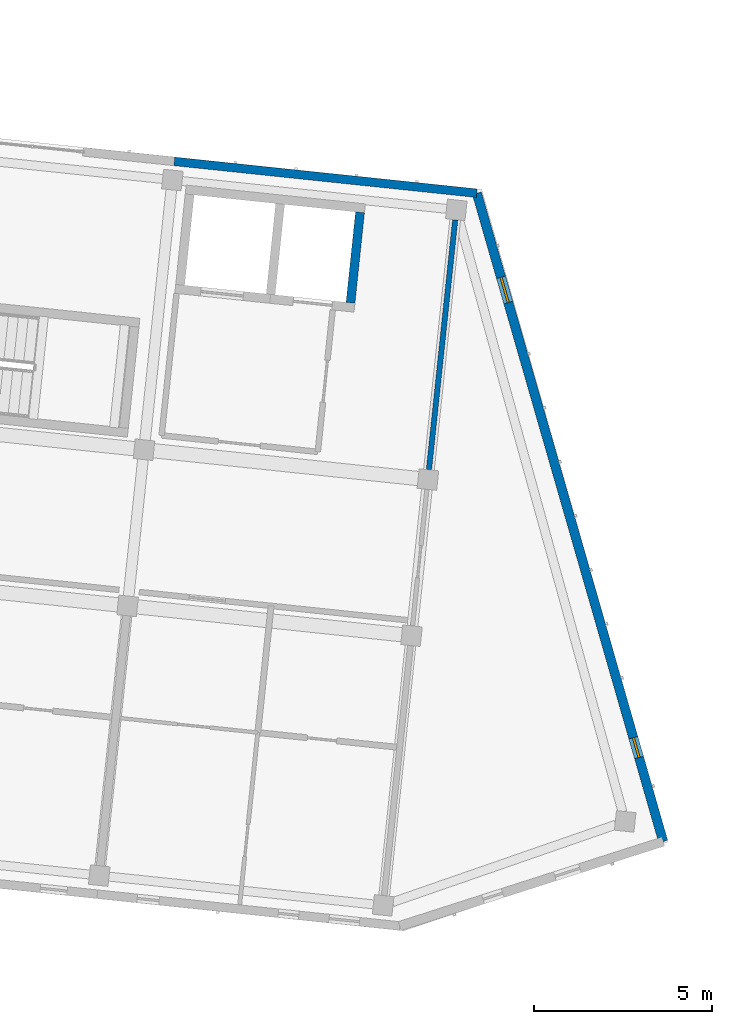
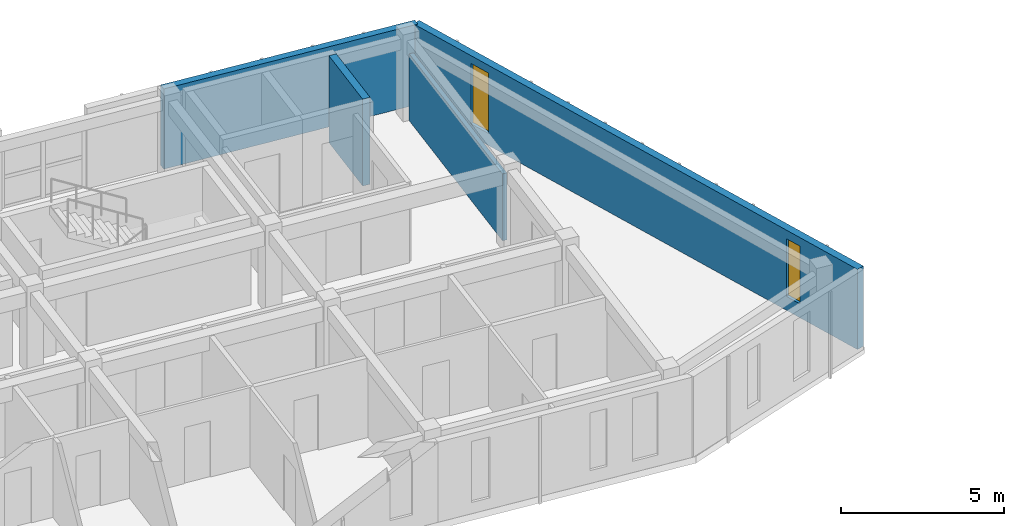
# One storey, part 39 of 66: 4 walls, 2 windows, 2 openings.
"""IFC4 building model written with IfcOpenShell, lengths in metres."""

from ifc_helpers import new_model, si_unit, direction, frame, frame_2d, origin, place, context, subcontext, project, spatial, rectangle, extrude, material, layer, layer_set, type_object, element, fill, save


model = new_model("IFC4")

# Units and contexts
model_context = context("Model", 3, precision=1e-05, world=origin(), true_north=direction((0.0, 1.0)))
body_context = subcontext(model_context, "Body", "Model", "MODEL_VIEW")
ifc_project = project(units=[si_unit("LENGTHUNIT", "METRE"), si_unit("AREAUNIT", "SQUARE_METRE"), si_unit("VOLUMEUNIT", "CUBIC_METRE"), si_unit("PLANEANGLEUNIT", "RADIAN"), si_unit("MASSUNIT", "GRAM", prefix="KILO")], contexts=[model_context])

# Site, building, storey
site_placement = place(None, origin())
site = spatial("IfcSite", under=ifc_project, at=site_placement, CompositionType="ELEMENT")
building_placement = place(site_placement, origin())
building = spatial("IfcBuilding", under=site, at=building_placement, Name="Kestramere Prow Commons", CompositionType="ELEMENT")
storey_placement = place(building_placement, frame((0.0, 0.0, 14.89990234375)))
storey = spatial("IfcBuildingStorey", under=building, at=storey_placement, Name="L04", CompositionType="ELEMENT", Elevation=14.89990234375)

# Wall, openings, windows
ifc_material_1 = material(Name="Weathered Zinc-Titanium Standing-Seam Cladding")
ifc_layer_1 = layer(ifc_material_1, 0.260009765625)
ifc_layer_set_1 = layer_set([ifc_layer_1], Name="Weathered Zinc-Titanium Standing-Seam Cladding")
wall_type_1 = type_object("IfcWallType", Name="EW-PROW-260", PredefinedType="SOLIDWALL", material=ifc_layer_set_1)
wall_1_placement = place(storey_placement, frame((160.36279296875, 109.742431640625, 0.0), z_axis=(0.0, 0.0, 1.0), x_axis=(0.276322184526, -0.961065060409, 0.0)))
wall_1 = element("IfcWall", 1, at=wall_1_placement, inside=storey, type_object=wall_type_1, Name="Block B L04 PRW-N Facet Wall", PredefinedType="SOLIDWALL", context=body_context, shape_type="SweptSolid", body=[
    extrude(rectangle(XDim=18.90673828125, YDim=0.260009765625, at=frame_2d((9.453369140625, 0.0))), origin(), (0.0, 0.0, 1.0), 3.0),
])
opening_1_placement = place(wall_1_placement, frame((2.449951171875, 0.0, 0.449951171875)))
opening_1 = element("IfcOpeningElement", 2, at=opening_1_placement, cuts=wall_1, Name="Opening WN-09", PredefinedType="OPENING", context=body_context, shape_type="SweptSolid", body=[
    extrude(rectangle(XDim=0.739990234375, YDim=2.260009765625, at=frame_2d((0.3701171875, 1.1298828125))), frame((0.0, 0.14501953125, 0.0), z_axis=(0.0, -1.0, 0.0), x_axis=(1.0, 0.0, 0.0)), (0.0, 0.0, 1.0), 0.2900390625),
])
opening_2_placement = place(wall_1_placement, frame((15.876708984375, 0.0, 0.52001953125)))
opening_2 = element("IfcOpeningElement", 3, at=opening_2_placement, cuts=wall_1, Name="Opening WN-01", PredefinedType="OPENING", context=body_context, shape_type="SweptSolid", body=[
    extrude(rectangle(XDim=0.580078125, YDim=2.159912109375, at=frame_2d((0.2900390625, 1.080078125))), frame((0.0, 0.14501953125, 0.0), z_axis=(0.0, -1.0, 0.0), x_axis=(1.0, 0.0, 0.0)), (0.0, 0.0, 1.0), 0.2900390625),
])
ifc_material_2 = material(Name="Low-E Laminated Double Glazing", Category="glass")
window_type_1 = type_object("IfcWindowType", Name="WN-NAR-580A", PartitioningType="SINGLE_PANEL", PredefinedType="WINDOW", material=ifc_material_2)
window_1_placement = place(opening_2_placement, origin())
window_1 = element("IfcWindow", 4, at=window_1_placement, inside=storey, type_object=window_type_1, Name="WN-B-L04-PRW-N-1", OverallHeight=2.159912109375, OverallWidth=0.580078125, PartitioningType="SINGLE_PANEL", PredefinedType="WINDOW", context=body_context, shape_type="SweptSolid", body=[
    extrude(rectangle(XDim=0.580078125, YDim=2.159912109375, at=frame_2d((0.2900390625, 1.080078125))), frame((0.0, 0.030029296875, 0.0), z_axis=(0.0, -1.0, 0.0), x_axis=(1.0, 0.0, 0.0)), (0.0, 0.0, 1.0), 0.06005859375),
])
fill(opening_2, window_1)
window_type_2 = type_object("IfcWindowType", Name="WN-NAR-740A", PartitioningType="SINGLE_PANEL", PredefinedType="WINDOW", material=ifc_material_2)
window_2_placement = place(opening_1_placement, origin())
window_2 = element("IfcWindow", 5, at=window_2_placement, inside=storey, type_object=window_type_2, Name="WN-B-L04-PRW-N-0", OverallHeight=2.260009765625, OverallWidth=0.739990234375, PartitioningType="SINGLE_PANEL", PredefinedType="WINDOW", context=body_context, shape_type="SweptSolid", body=[
    extrude(rectangle(XDim=0.739990234375, YDim=2.260009765625, at=frame_2d((0.3701171875, 1.1298828125))), frame((0.0, 0.030029296875, 0.0), z_axis=(0.0, -1.0, 0.0), x_axis=(1.0, 0.0, 0.0)), (0.0, 0.0, 1.0), 0.06005859375),
])
fill(opening_1, window_2)

# Walls
ifc_material_3 = material(Name="Fluoropolymer Standing-Seam Zinc-Aluminium Cladding", Category="aluminium")
ifc_layer_2 = layer(ifc_material_3, 0.239990234375)
ifc_layer_set_2 = layer_set([ifc_layer_2], Name="Fluoropolymer Standing-Seam Zinc-Aluminium Cladding")
wall_type_2 = type_object("IfcWallType", Name="EW-SEAM-240", PredefinedType="SOLIDWALL", material=ifc_layer_set_2)
wall_2_placement = place(storey_placement, frame((151.884521484375, 110.633544921875, 0.0), z_axis=(0.0, 0.0, 1.0), x_axis=(0.994521760736, -0.104529744196, 0.0)))
element("IfcWall", 6, at=wall_2_placement, inside=storey, type_object=wall_type_2, Name="Block B L04 North Standing-Seam Wall 6", PredefinedType="SOLIDWALL", context=body_context, shape_type="SweptSolid", body=[
    extrude(rectangle(XDim=8.52490234375, YDim=0.239990234375, at=frame_2d((4.262451171875, 0.0))), origin(), (0.0, 0.0, 1.0), 3.0),
])
ifc_material_4 = material(Name="Concrete C40/50", Category="concrete")
ifc_layer_3 = layer(ifc_material_4, 0.25)
ifc_layer_set_3 = layer_set([ifc_layer_3], Name="Concrete C40/50")
wall_type_3 = type_object("IfcWallType", Name="W-CORE-250", PredefinedType="SHEAR", material=ifc_layer_set_3)
wall_3_placement = place(storey_placement, frame((156.822265625, 106.670654296875, 0.0), z_axis=(0.0, 0.0, 1.0), x_axis=(0.104545242946, 0.99452013161, 0.0)))
element("IfcWall", 7, at=wall_3_placement, inside=storey, type_object=wall_type_3, Name="Block B L04 Lift Core Side Wall R", PredefinedType="SHEAR", context=body_context, shape_type="SweptSolid", body=[
    extrude(rectangle(XDim=2.550048828125, YDim=0.25, at=frame_2d((1.27490234375, 0.0))), origin(), (0.0, 0.0, 1.0), 3.25),
])
ifc_material_5 = material(Name="Masonry Compartment Wall", Category="masonry")
ifc_layer_4 = layer(ifc_material_5, 0.14990234375)
ifc_layer_set_4 = layer_set([ifc_layer_4], Name="Masonry Compartment Wall")
wall_type_4 = type_object("IfcWallType", Name="W-PART-150", PredefinedType="PARTITIONING", material=ifc_layer_set_4)
wall_4_placement = place(storey_placement, frame((159.021240234375, 102.000244140625, 0.0), z_axis=(0.0, 0.0, 1.0), x_axis=(0.10452931889, 0.994521805438, 0.0)))
element("IfcWall", 8, at=wall_4_placement, inside=storey, type_object=wall_type_4, Name="Interior Partition PW-B-L04-PRW-N", PredefinedType="PARTITIONING", context=body_context, shape_type="SweptSolid", body=[
    extrude(rectangle(XDim=7.0302734375, YDim=0.14990234375, at=frame_2d((3.51513671875, 0.0))), origin(), (0.0, 0.0, 1.0), 2.5),
])

save(model, "model.ifc")
